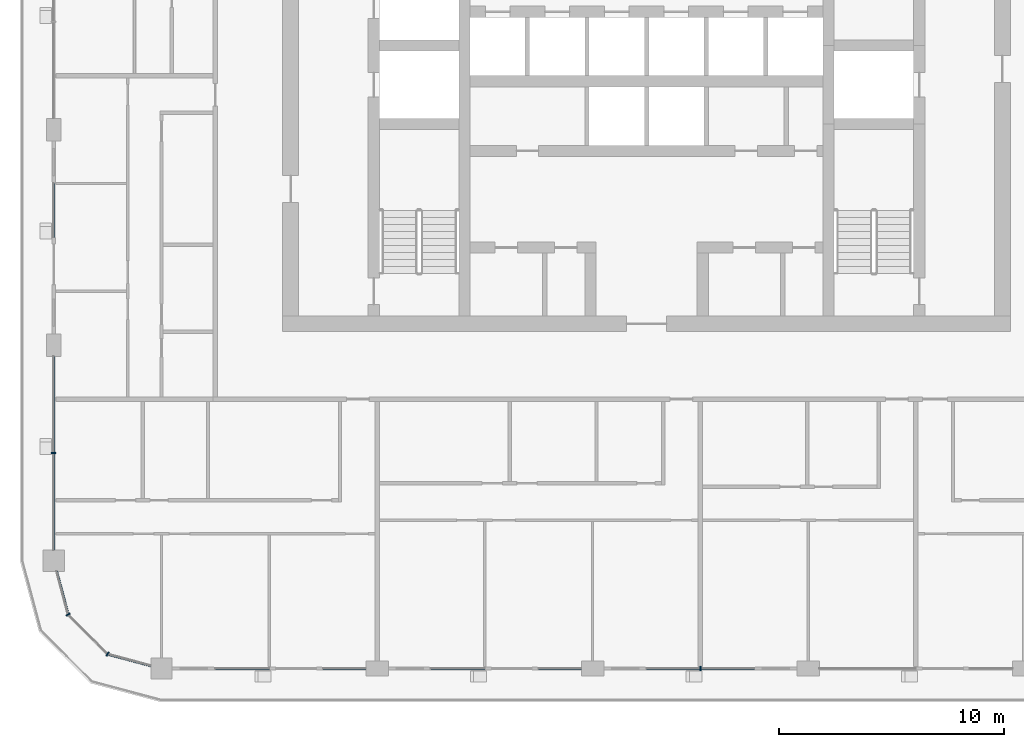
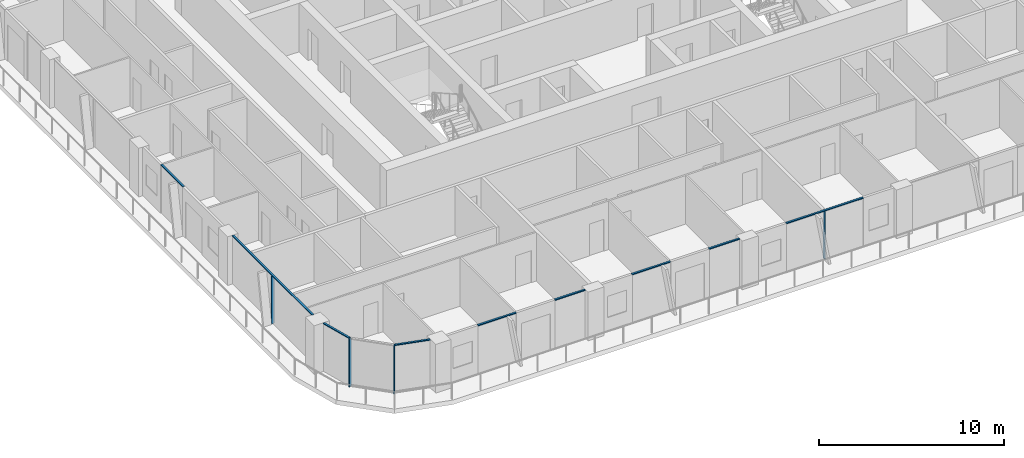
# One storey, part 2 of 22: 13 members, 6 elements without a shape of their own.
"""IFC4 building model written with IfcOpenShell, lengths in metres."""

from ifc_helpers import new_model, si_unit, direction, frame, origin, origin_2d, place, context, subcontext, project, spatial, rectangle, extrude, material, layer, layer_set, material_profile, profile_set, type_object, element, aggregate, save


model = new_model("IFC4")

# Units and contexts
model_context = context("Model", 3, precision=1e-05, world=origin(), true_north=direction((0.0, 1.0)))
body_context = subcontext(model_context, "Body", "Model", "MODEL_VIEW")
ifc_project = project(units=[si_unit("LENGTHUNIT", "METRE"), si_unit("AREAUNIT", "SQUARE_METRE"), si_unit("VOLUMEUNIT", "CUBIC_METRE"), si_unit("PLANEANGLEUNIT", "RADIAN"), si_unit("MASSUNIT", "GRAM", prefix="KILO")], contexts=[model_context])

# Site, building, storey
site_placement = place(None, origin())
site = spatial("IfcSite", under=ifc_project, at=site_placement, CompositionType="ELEMENT")
building_placement = place(site_placement, origin())
building = spatial("IfcBuilding", under=site, at=building_placement, Name="Madar Terraces", CompositionType="ELEMENT")
storey_placement = place(building_placement, frame((0.0, 0.0, 182.39990234375)))
storey = spatial("IfcBuildingStorey", under=building, at=storey_placement, Name="L47", CompositionType="ELEMENT", Elevation=182.39990234375)

# Curtain wall, member
ifc_material_1 = material(Name="Glass, ceramic frit dark grey, with black aluminium frame", Category="aluminium")
ifc_layer = layer(ifc_material_1, 0.199951171875)
ifc_layer_set = layer_set([ifc_layer], Name="Facade curtain wall, fritted glass")
curtain_wall_type = type_object("IfcCurtainWallType", Name="Facade curtain wall, fritted glass", PredefinedType="NOTDEFINED", material=ifc_layer_set)
curtain_wall_1_placement = place(storey_placement, origin())
curtain_wall_1 = element("IfcCurtainWall", 1, at=curtain_wall_1_placement, inside=storey, type_object=curtain_wall_type, Name="Outer skin curtain wall south bay 3", PredefinedType="NOTDEFINED")
ifc_material_2 = material(Name="Aluminium, black anodised", Category="aluminium")
ifc_material_profile_1 = material_profile(ifc_material_2, rectangle(XDim=0.199951171875, YDim=0.06005859375, at=origin_2d()), Name="Facade mullion 60x200")
ifc_profile_set_1 = profile_set([ifc_material_profile_1], Name="Aluminium, black anodised")
member_type_1 = type_object("IfcMemberType", Name="Facade mullion 60x200", PredefinedType="MULLION", material=ifc_profile_set_1)
member_1_placement = place(storey_placement, frame((33.60009765625, 0.0, 0.0), z_axis=(0.0, 0.0, 1.0), x_axis=(0.0, 1.0, 0.0)))
member_1 = element("IfcMember", 2, at=member_1_placement, type_object=member_type_1, Name="Mullion 1", PredefinedType="MULLION", context=body_context, shape_type="SweptSolid", body=[
    extrude(rectangle(XDim=0.199951171875, YDim=0.06005859375, at=origin_2d()), origin(), (0.0, 0.0, 1.0), 3.14013671875),
])

curtain_wall_2_placement = place(storey_placement, origin())
curtain_wall_2 = element("IfcCurtainWall", 3, at=curtain_wall_2_placement, inside=storey, type_object=curtain_wall_type, Name="Outer skin curtain wall west bay 4", PredefinedType="NOTDEFINED")
member_2_placement = place(storey_placement, frame((4.800048828125, 9.60009765625, 0.0), z_axis=(0.0, 0.0, 1.0), x_axis=(1.0, 0.0, 0.0)))
member_2 = element("IfcMember", 4, at=member_2_placement, type_object=member_type_1, Name="Mullion 1", PredefinedType="MULLION", context=body_context, shape_type="SweptSolid", body=[
    extrude(rectangle(XDim=0.199951171875, YDim=0.06005859375, at=origin_2d()), origin(), (0.0, 0.0, 1.0), 3.14013671875),
])

# Curtain wall, members
curtain_wall_3_placement = place(storey_placement, origin())
curtain_wall_3 = element("IfcCurtainWall", 5, at=curtain_wall_3_placement, inside=storey, type_object=curtain_wall_type, Name="Outer skin curtain wall south-west corner", PredefinedType="NOTDEFINED")
member_3_placement = place(storey_placement, frame((5.443115234375, 2.39990234375, 0.0), z_axis=(0.0, 0.0, 1.0), x_axis=(0.866025409797, 0.499999989586, 0.0)))
member_3 = element("IfcMember", 6, at=member_3_placement, type_object=member_type_1, Name="Mullion 1", PredefinedType="MULLION", context=body_context, shape_type="SweptSolid", body=[
    extrude(rectangle(XDim=0.199951171875, YDim=0.06005859375, at=origin_2d()), origin(), (0.0, 0.0, 1.0), 3.14013671875),
])
member_4_placement = place(storey_placement, frame((7.199951171875, 0.64306640625, 0.0), z_axis=(0.0, 0.0, 1.0), x_axis=(0.499999989586, 0.866025409797, 0.0)))
member_4 = element("IfcMember", 7, at=member_4_placement, type_object=member_type_1, Name="Mullion 2", PredefinedType="MULLION", context=body_context, shape_type="SweptSolid", body=[
    extrude(rectangle(XDim=0.199951171875, YDim=0.06005859375, at=origin_2d()), origin(), (0.0, 0.0, 1.0), 3.14013671875),
])

curtain_wall_4_placement = place(storey_placement, origin())
curtain_wall_4 = element("IfcCurtainWall", 8, at=curtain_wall_4_placement, inside=storey, type_object=curtain_wall_type, Name="Outer skin curtain wall south bay 1", PredefinedType="NOTDEFINED")
ifc_material_3 = material(Name="Aluminium, black anodised", Category="aluminium")
ifc_material_profile_2 = material_profile(ifc_material_3, rectangle(XDim=0.1201171875, YDim=0.06005859375, at=origin_2d()), Name="Facade transom 60x120")
ifc_profile_set_2 = profile_set([ifc_material_profile_2], Name="Aluminium, black anodised")
member_type_2 = type_object("IfcMemberType", Name="Facade transom 60x120", PredefinedType="USERDEFINED", material=ifc_profile_set_2)
member_5_placement = place(storey_placement, frame((12.0, 0.0, 3.170166015625), z_axis=(1.0, 0.0, 0.0), x_axis=(0.0, 1.0, 0.0)))
member_5 = element("IfcMember", 9, at=member_5_placement, type_object=member_type_2, Name="Transom 1", ObjectType="TRANSOM", PredefinedType="USERDEFINED", context=body_context, shape_type="SweptSolid", body=[
    extrude(rectangle(XDim=0.1201171875, YDim=0.06005859375, at=origin_2d()), origin(), (0.0, 0.0, 1.0), 2.39990234375),
])
member_6_placement = place(storey_placement, frame((16.800048828125, 0.0, 3.170166015625), z_axis=(1.0, 0.0, 0.0), x_axis=(0.0, 1.0, 0.0)))
member_6 = element("IfcMember", 10, at=member_6_placement, type_object=member_type_2, Name="Transom 2", ObjectType="TRANSOM", PredefinedType="USERDEFINED", context=body_context, shape_type="SweptSolid", body=[
    extrude(rectangle(XDim=0.1201171875, YDim=0.06005859375, at=origin_2d()), origin(), (0.0, 0.0, 1.0), 1.89990234375),
])
aggregate(curtain_wall_4, [member_5, member_6])

curtain_wall_5_placement = place(storey_placement, origin())
curtain_wall_5 = element("IfcCurtainWall", 11, at=curtain_wall_5_placement, inside=storey, type_object=curtain_wall_type, Name="Outer skin curtain wall south bay 2", PredefinedType="NOTDEFINED")
member_7_placement = place(storey_placement, frame((21.60009765625, 0.0, 3.170166015625), z_axis=(1.0, 0.0, 0.0), x_axis=(0.0, 1.0, 0.0)))
member_7 = element("IfcMember", 12, at=member_7_placement, type_object=member_type_2, Name="Transom 1", ObjectType="TRANSOM", PredefinedType="USERDEFINED", context=body_context, shape_type="SweptSolid", body=[
    extrude(rectangle(XDim=0.1201171875, YDim=0.06005859375, at=origin_2d()), origin(), (0.0, 0.0, 1.0), 2.39990234375),
])
member_8_placement = place(storey_placement, frame((26.39990234375, 0.0, 3.170166015625), z_axis=(1.0, 0.0, 0.0), x_axis=(0.0, 1.0, 0.0)))
member_8 = element("IfcMember", 13, at=member_8_placement, type_object=member_type_2, Name="Transom 2", ObjectType="TRANSOM", PredefinedType="USERDEFINED", context=body_context, shape_type="SweptSolid", body=[
    extrude(rectangle(XDim=0.1201171875, YDim=0.06005859375, at=origin_2d()), origin(), (0.0, 0.0, 1.0), 1.900146484375),
])
aggregate(curtain_wall_5, [member_7, member_8])

# Member
member_9_placement = place(storey_placement, frame((31.199951171875, 0.0, 3.170166015625), z_axis=(1.0, 0.0, 0.0), x_axis=(0.0, 1.0, 0.0)))
member_9 = element("IfcMember", 14, at=member_9_placement, type_object=member_type_2, Name="Transom 1", ObjectType="TRANSOM", PredefinedType="USERDEFINED", context=body_context, shape_type="SweptSolid", body=[
    extrude(rectangle(XDim=0.1201171875, YDim=0.06005859375, at=origin_2d()), origin(), (0.0, 0.0, 1.0), 4.800048828125),
])

aggregate(curtain_wall_1, [member_1, member_9])

# Curtain wall, member
curtain_wall_6_placement = place(storey_placement, origin())
curtain_wall_6 = element("IfcCurtainWall", 15, at=curtain_wall_6_placement, inside=storey, type_object=curtain_wall_type, Name="Outer skin curtain wall west bay 3", PredefinedType="NOTDEFINED")
member_10_placement = place(storey_placement, frame((4.800048828125, 21.60009765625, 3.170166015625), z_axis=(0.0, -1.0, 0.0), x_axis=(1.0, 0.0, 0.0)))
member_10 = element("IfcMember", 16, at=member_10_placement, type_object=member_type_2, Name="Transom 1", ObjectType="TRANSOM", PredefinedType="USERDEFINED", context=body_context, shape_type="SweptSolid", body=[
    extrude(rectangle(XDim=0.1201171875, YDim=0.06005859375, at=origin_2d()), origin(), (0.0, 0.0, 1.0), 2.400146484375),
])
aggregate(curtain_wall_6, [member_10])

# Member
member_11_placement = place(storey_placement, frame((4.800048828125, 13.89990234375, 3.170166015625), z_axis=(0.0, -1.0, 0.0), x_axis=(1.0, 0.0, 0.0)))
member_11 = element("IfcMember", 17, at=member_11_placement, type_object=member_type_2, Name="Transom 1", ObjectType="TRANSOM", PredefinedType="USERDEFINED", context=body_context, shape_type="SweptSolid", body=[
    extrude(rectangle(XDim=0.1201171875, YDim=0.06005859375, at=origin_2d()), origin(), (0.0, 0.0, 1.0), 8.625),
])

aggregate(curtain_wall_2, [member_2, member_11])

member_12_placement = place(storey_placement, frame((4.92724609375, 4.324951171875, 3.170166015625), z_axis=(0.258831412352, -0.96592251241, 0.0), x_axis=(0.96592251241, 0.258831412352, 0.0)))
member_12 = element("IfcMember", 18, at=member_12_placement, type_object=member_type_2, Name="Transom 1", ObjectType="TRANSOM", PredefinedType="USERDEFINED", context=body_context, shape_type="SweptSolid", body=[
    extrude(rectangle(XDim=0.1201171875, YDim=0.06005859375, at=origin_2d()), origin(), (0.0, 0.0, 1.0), 1.962890625),
])

member_13_placement = place(storey_placement, frame((7.22900390625, 0.63525390625, 3.170166015625), z_axis=(0.96592251241, -0.258831412352, 0.0), x_axis=(0.258831412352, 0.96592251241, 0.0)))
member_13 = element("IfcMember", 19, at=member_13_placement, type_object=member_type_2, Name="Transom 3", ObjectType="TRANSOM", PredefinedType="USERDEFINED", context=body_context, shape_type="SweptSolid", body=[
    extrude(rectangle(XDim=0.1201171875, YDim=0.06005859375, at=origin_2d()), origin(), (0.0, 0.0, 1.0), 1.962890625),
])

aggregate(curtain_wall_3, [member_3, member_12, member_4, member_13])

save(model, "model.ifc")
